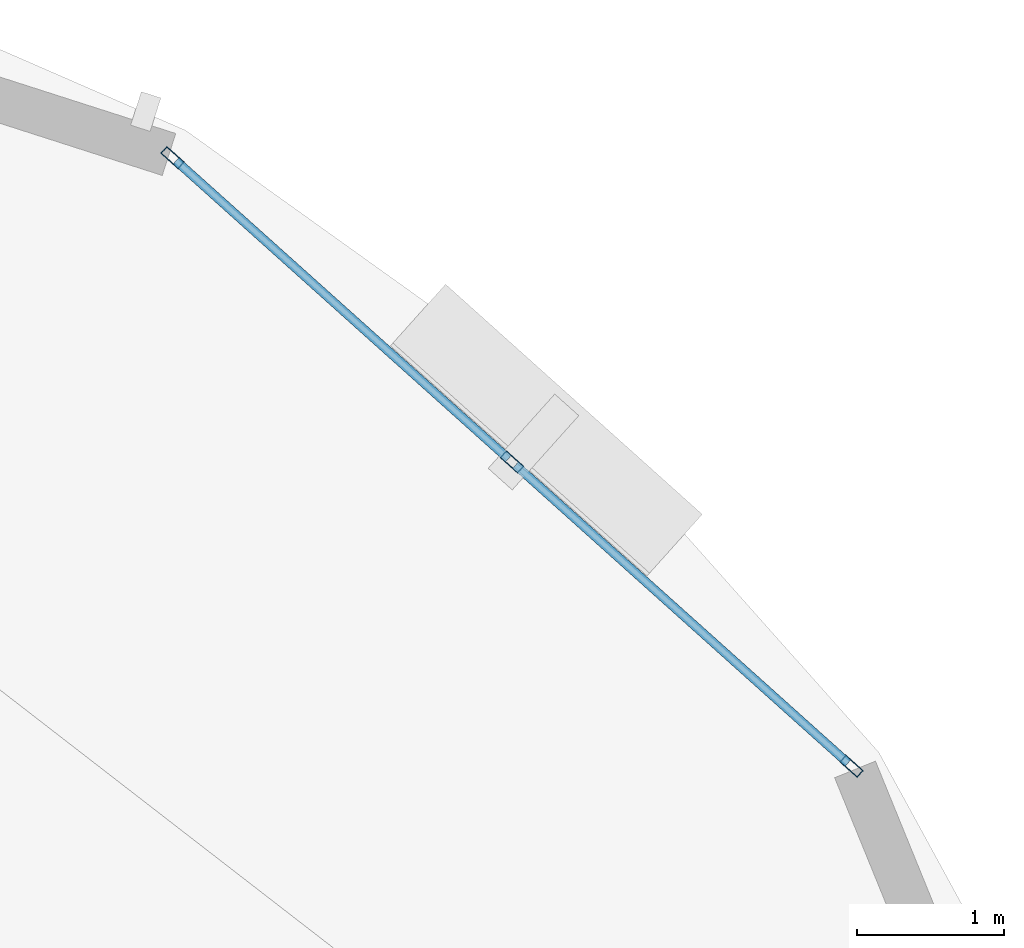
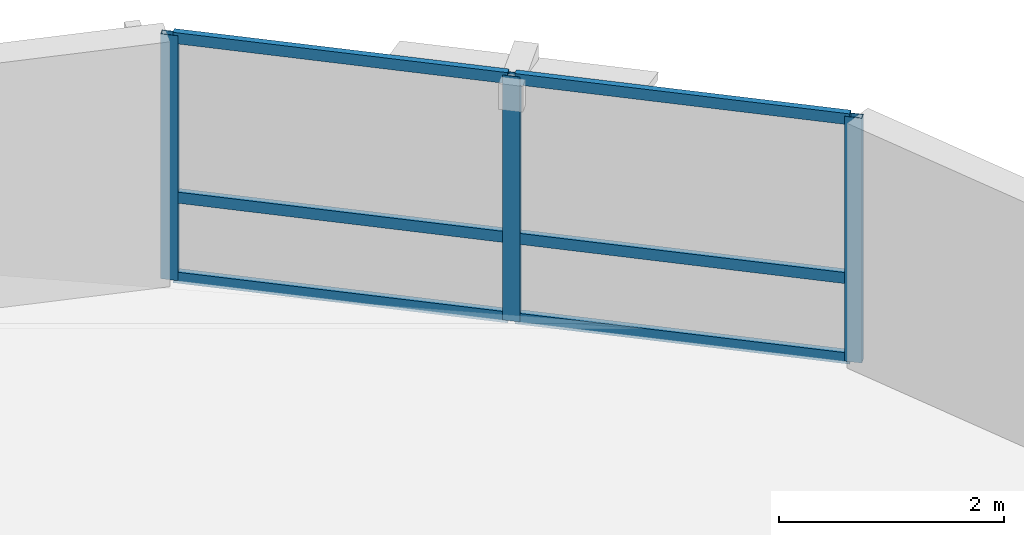
# One storey, part 5 of 11: 9 members, 1 element without a shape of its own.
"""IFC4 building model written with IfcOpenShell, lengths in metres."""

import ifcopenshell
import ifcopenshell.guid

model = None  # the IFC model being written
_history = None  # IfcOwnerHistory: only IFC2X3 demands one
_inside = {}  # id of a spatial element -> (the spatial element, [elements in it])
_under = {}  # id of a project, library or spatial element -> (it, [spatial elements below it])
_declared = {}  # id of a project -> (the project, [libraries it declares])
_typed = {}  # id of a type object -> (the type object, [elements of that type])
_made_of = {}  # id of a material, layer set ... -> (it, [elements and type objects made of it])


def new_model(schema):
    """Start an empty IFC model of exactly this schema.

    Asked for "IFC4X3", IfcOpenShell would pick the latest addendum, in which some entities
    have other attributes; the version numbers below select the first issue.
    IFC2X3 requires an IfcOwnerHistory on every rooted entity: one is made here for all.
    """
    global model, _history
    if schema == "IFC4X3":
        model = ifcopenshell.file(schema_version=(4, 3, 0, 0))
    else:
        model = ifcopenshell.file(schema=schema)
    _inside.clear()
    _under.clear()
    _declared.clear()
    _typed.clear()
    _made_of.clear()
    _history = None
    if model.schema == "IFC2X3":
        org = make("IfcOrganization", Name="unknown")
        user = make(
            "IfcPersonAndOrganization",
            ThePerson=make("IfcPerson", FamilyName="unknown"),
            TheOrganization=org,
        )
        app = make(
            "IfcApplication",
            ApplicationDeveloper=org,
            Version="unknown",
            ApplicationFullName="unknown",
            ApplicationIdentifier="unknown",
        )
        _history = make(
            "IfcOwnerHistory",
            OwningUser=user,
            OwningApplication=app,
            ChangeAction="ADDED",
            CreationDate=0,
        )
    return model


def make(cls, **values):
    """One entity of the class cls with the attributes given. An attribute that is None is left unset."""
    return model.create_entity(
        cls, **{name: value for name, value in values.items() if value is not None}
    )


def rooted(cls, **values):
    """An entity with a GlobalId (a new one), such as an element, a storey or a relation."""
    return make(cls, GlobalId=ifcopenshell.guid.new(), OwnerHistory=_history, **values)


def si_unit(unit_type, name, prefix=None):
    """IfcSIUnit, for example si_unit("LENGTHUNIT", "METRE", prefix="MILLI")."""
    return make("IfcSIUnit", UnitType=unit_type, Prefix=prefix, Name=name)


def assignment(units):
    """IfcUnitAssignment: the units of a project."""
    return None if units is None else make("IfcUnitAssignment", Units=units)


def point(xyz):
    """IfcCartesianPoint."""
    return None if xyz is None else make("IfcCartesianPoint", Coordinates=xyz)


def direction(xyz):
    """IfcDirection."""
    return None if xyz is None else make("IfcDirection", DirectionRatios=xyz)


def frame(location, z_axis=None, x_axis=None):
    """IfcAxis2Placement3D, a coordinate frame: its origin and axes. An axis left out is left unset."""
    return make(
        "IfcAxis2Placement3D",
        Location=point(location),
        Axis=direction(z_axis),
        RefDirection=direction(x_axis),
    )


def frame_2d(location, x_axis=None):
    """IfcAxis2Placement2D, a coordinate frame in the plane: its origin and x axis."""
    return make(
        "IfcAxis2Placement2D", Location=point(location), RefDirection=direction(x_axis)
    )


def origin():
    """The frame at (0, 0, 0) with its axes left unset."""
    return frame((0.0, 0.0, 0.0))


def origin_2d():
    """The frame at (0, 0) in the plane with its x axis left unset."""
    return frame_2d((0.0, 0.0))


def place(relative_to, where):
    """IfcLocalPlacement: puts the frame where relative to a parent placement (None: the world)."""
    return make(
        "IfcLocalPlacement", PlacementRelTo=relative_to, RelativePlacement=where
    )


def context(
    kind, dimensions, precision=None, world=None, true_north=None, identifier=None
):
    """IfcGeometricRepresentationContext, for example the 3D "Model" context."""
    return make(
        "IfcGeometricRepresentationContext",
        ContextIdentifier=identifier,
        ContextType=kind,
        CoordinateSpaceDimension=dimensions,
        Precision=precision,
        WorldCoordinateSystem=world,
        TrueNorth=true_north,
    )


def subcontext(parent, identifier, kind, view, scale=None):
    """IfcGeometricRepresentationSubContext, for example "Body" below "Model"."""
    return make(
        "IfcGeometricRepresentationSubContext",
        ContextIdentifier=identifier,
        ContextType=kind,
        ParentContext=parent,
        TargetScale=scale,
        TargetView=view,
    )


def project(units=None, contexts=None):
    """IfcProject with its units and contexts."""
    return rooted(
        "IfcProject",
        Name="project",
        RepresentationContexts=contexts,
        UnitsInContext=assignment(units),
    )


def spatial(cls, under=None, at=None, **own):
    """A site, building, storey or space (cls), placed at a placement, below another one or the project."""
    s = rooted(cls, ObjectPlacement=at, **own)
    if under is not None:
        _under.setdefault(under.id(), (under, []))[1].append(s)
    return s


def profile(cls, at=None, kind="AREA", **sizes):
    """A parametric profile (cls). Its sizes go by their IFC names, for example OverallWidth=200.0."""
    return make(cls, ProfileType=kind, Position=at, **sizes)


def hollow_rectangle(**sizes):
    """IfcRectangleHollowProfileDef."""
    return profile("IfcRectangleHollowProfileDef", **sizes)


def extrude(swept, where, along, depth):
    """IfcExtrudedAreaSolid: the profile swept, set in the frame where, extruded along a direction by depth."""
    return make(
        "IfcExtrudedAreaSolid",
        SweptArea=swept,
        Position=where,
        ExtrudedDirection=direction(along),
        Depth=depth,
    )


def shape(context_of_items, identifier, shape_type, items):
    """IfcShapeRepresentation: the items that make up one representation, for example the "Body"."""
    return make(
        "IfcShapeRepresentation",
        ContextOfItems=context_of_items,
        RepresentationIdentifier=identifier,
        RepresentationType=shape_type,
        Items=items,
    )


def material(Name=None, Category=None):
    """IfcMaterial."""
    return make("IfcMaterial", Name=Name, Category=Category)


def layer(
    of_material, thickness, ventilated=None, Name=None, Category=None, Priority=None
):
    """IfcMaterialLayer: one layer of a wall or slab, of a material (None: an air gap)."""
    return make(
        "IfcMaterialLayer",
        Material=of_material,
        LayerThickness=thickness,
        IsVentilated=ventilated,
        Name=Name,
        Category=Category,
        Priority=Priority,
    )


def layer_set(layers, Name=None):
    """IfcMaterialLayerSet."""
    return make("IfcMaterialLayerSet", MaterialLayers=layers, LayerSetName=Name)


def material_profile(
    of_material, cross_section, Name=None, Category=None, Priority=None
):
    """IfcMaterialProfile: a cross section and its material."""
    return make(
        "IfcMaterialProfile",
        Name=Name,
        Material=of_material,
        Profile=cross_section,
        Priority=Priority,
        Category=Category,
    )


def profile_set(profiles, Name=None, composite=None):
    """IfcMaterialProfileSet."""
    return make(
        "IfcMaterialProfileSet",
        Name=Name,
        MaterialProfiles=profiles,
        CompositeProfile=composite,
    )


def made_of(thing, what):
    """Note that an element or type object is made of a material, layer set ...; save() writes the relation."""
    if what is not None:
        _made_of.setdefault(what.id(), (what, []))[1].append(thing)
    return thing


def type_object(cls, material=None, **own):
    """A type object (cls), such as IfcWallType, which elements share."""
    return made_of(rooted(cls, **own), material)


def element(
    cls,
    number,
    at=None,
    inside=None,
    cuts=None,
    type_object=None,
    material=None,
    context=None,
    identifier="Body",
    shape_type=None,
    held_by="IfcProductDefinitionShape",
    body=None,
    shapes=None,
    **own,
):
    """One element of the class cls, such as IfcWall. Its Tag is "e" and its number.

    at: its placement. inside: the storey or other place that contains it. cuts: it is an
    opening in that element (IfcRelVoidsElement). A single representation is given by context,
    identifier, shape_type and body (its items); several are given by shapes. held_by: the class
    of the entity that holds the representations. save() writes the other relations.
    """
    e = rooted(cls, Tag="e%d" % number, ObjectPlacement=at, **own)
    if body is not None:
        shapes = [shape(context, identifier, shape_type, body)]
    if shapes is not None:
        e.Representation = make(held_by, Representations=shapes)
    if inside is not None:
        _inside.setdefault(inside.id(), (inside, []))[1].append(e)
    if cuts is not None:
        rooted(
            "IfcRelVoidsElement", RelatingBuildingElement=cuts, RelatedOpeningElement=e
        )
    if type_object is not None:
        _typed.setdefault(type_object.id(), (type_object, []))[1].append(e)
    return made_of(e, material)


def aggregate(whole, parts):
    """IfcRelAggregates: a whole, such as a stair, and the parts it consists of."""
    return rooted("IfcRelAggregates", RelatingObject=whole, RelatedObjects=parts)


def save(model, path):
    """Write the relations noted so far, then the file.

    IfcRelAggregates (storeys below a building ...), IfcRelContainedInSpatialStructure (elements
    in a storey), IfcRelDefinesByType, IfcRelAssociatesMaterial and IfcRelDeclares: one each for
    every whole, place, type object, material and project.
    """
    for whole, parts in _under.values():
        aggregate(whole, parts)
    for where, things in _inside.values():
        rooted(
            "IfcRelContainedInSpatialStructure",
            RelatedElements=things,
            RelatingStructure=where,
        )
    for kind, things in _typed.values():
        rooted("IfcRelDefinesByType", RelatedObjects=things, RelatingType=kind)
    for what, things in _made_of.values():
        rooted("IfcRelAssociatesMaterial", RelatedObjects=things, RelatingMaterial=what)
    for by, libraries in _declared.values():
        rooted("IfcRelDeclares", RelatingContext=by, RelatedDefinitions=libraries)
    model.write(path)


model = new_model("IFC4")

# Units and contexts
model_context = context("Model", 3, precision=1e-05, world=origin(), true_north=direction((0.0, 1.0)))
body_context = subcontext(model_context, "Body", "Model", "MODEL_VIEW")
ifc_project = project(units=[si_unit("LENGTHUNIT", "METRE"), si_unit("AREAUNIT", "SQUARE_METRE"), si_unit("VOLUMEUNIT", "CUBIC_METRE"), si_unit("PLANEANGLEUNIT", "RADIAN"), si_unit("MASSUNIT", "GRAM", prefix="KILO"), si_unit("THERMODYNAMICTEMPERATUREUNIT", "KELVIN"), si_unit("POWERUNIT", "WATT")], contexts=[model_context])

# Site, building, storey
site_placement = place(None, origin())
site = spatial("IfcSite", under=ifc_project, at=site_placement, CompositionType="ELEMENT")
building_placement = place(site_placement, origin())
building = spatial("IfcBuilding", under=site, at=building_placement, Name="Ocrelia Relay Tower", CompositionType="ELEMENT")
storey_placement = place(building_placement, frame((0.0, 0.0, 180.800048828125)))
storey = spatial("IfcBuildingStorey", under=building, at=storey_placement, Name="L43", CompositionType="ELEMENT", Elevation=180.800048828125)

# Curtain wall, members
ifc_material_1 = material(Name="Aluminium and solar-control low-E glass", Category="aluminium")
ifc_layer = layer(ifc_material_1, 0.179931640625, Name="Aluminium and solar-control low-E glass")
ifc_layer_set = layer_set([ifc_layer], Name="Aluminium and solar-control low-E glass")
curtain_wall_type = type_object("IfcCurtainWallType", Name="CW-SYS-Z3-CLOU", PredefinedType="NOTDEFINED", material=ifc_layer_set)
curtain_wall_placement = place(storey_placement, origin())
curtain_wall = element("IfcCurtainWall", 1, at=curtain_wall_placement, inside=storey, type_object=curtain_wall_type, Name="L43 Elliptical Tower Curtain Wall Bay 01", PredefinedType="NOTDEFINED")
ifc_material_2 = material(Name="Anodised bronze aluminium", Category="aluminium")
ifc_material_profile_1 = material_profile(ifc_material_2, hollow_rectangle(XDim=0.06494140625, YDim=0.159912109375, WallThickness=0.0048828125, at=origin_2d()), Name="CW-MUL-160x65")
ifc_profile_set_1 = profile_set([ifc_material_profile_1], Name="Anodised bronze aluminium")
member_type_1 = type_object("IfcMemberType", Name="CW-SYS-Z3-CLOU-MUL", PredefinedType="MULLION", material=ifc_profile_set_1)
member_1_placement = place(storey_placement, frame((53.10888671875, 39.493408203125, 0.0), z_axis=(0.0, 0.0, 1.0), x_axis=(-0.66743759951, -0.744665730889, 0.0)))
member_1 = element("IfcMember", 2, at=member_1_placement, type_object=member_type_1, Name="CW-Z3 mullion 1", PredefinedType="MULLION", context=body_context, shape_type="SweptSolid", body=[
    extrude(hollow_rectangle(XDim=0.06494140625, YDim=0.159912109375, WallThickness=0.0048828125, at=origin_2d()), origin(), (0.0, 0.0, 1.0), 2.659912109375),
])
member_2_placement = place(storey_placement, frame((50.793701171875, 41.568359375, 0.0), z_axis=(0.0, 0.0, 1.0), x_axis=(-0.66743759951, -0.744665730889, 0.0)))
member_2 = element("IfcMember", 3, at=member_2_placement, type_object=member_type_1, Name="CW-Z3 mullion 2", PredefinedType="MULLION", context=body_context, shape_type="SweptSolid", body=[
    extrude(hollow_rectangle(XDim=0.06494140625, YDim=0.159912109375, WallThickness=0.0048828125, at=origin_2d()), origin(), (0.0, 0.0, 1.0), 2.659912109375),
])
member_3_placement = place(storey_placement, frame((48.478759765625, 43.643310546875, 0.0), z_axis=(0.0, 0.0, 1.0), x_axis=(-0.66743759951, -0.744665730889, 0.0)))
member_3 = element("IfcMember", 4, at=member_3_placement, type_object=member_type_1, Name="CW-Z3 mullion 3", PredefinedType="MULLION", context=body_context, shape_type="SweptSolid", body=[
    extrude(hollow_rectangle(XDim=0.06494140625, YDim=0.159912109375, WallThickness=0.0048828125, at=origin_2d()), origin(), (0.0, 0.0, 1.0), 2.659912109375),
])
ifc_material_profile_2 = material_profile(ifc_material_2, hollow_rectangle(XDim=0.06005859375, YDim=0.1201171875, WallThickness=0.0048828125, at=origin_2d()), Name="CW-TRN-120x60")
ifc_profile_set_2 = profile_set([ifc_material_profile_2], Name="Anodised bronze aluminium")
member_type_2 = type_object("IfcMemberType", Name="CW-SYS-Z3-CLOU-TRN", PredefinedType="USERDEFINED", material=ifc_profile_set_2)
member_4_placement = place(storey_placement, frame((53.084716796875, 39.51513671875, 0.030029296875), z_axis=(-0.744668401942, 0.667434619382, 0.0), x_axis=(-0.667434619382, -0.744668401942, 0.0)))
member_4 = element("IfcMember", 5, at=member_4_placement, type_object=member_type_2, Name="CW-Z3 transom 1.1", ObjectType="TRANSOM", PredefinedType="USERDEFINED", context=body_context, shape_type="SweptSolid", body=[
    extrude(hollow_rectangle(XDim=0.06005859375, YDim=0.1201171875, WallThickness=0.0048828125, at=origin_2d()), origin(), (0.0, 0.0, 1.0), 3.044189453125),
])
member_5_placement = place(storey_placement, frame((53.084716796875, 39.51513671875, 0.89990234375), z_axis=(-0.744668401942, 0.667434619382, 0.0), x_axis=(-0.667434619382, -0.744668401942, 0.0)))
member_5 = element("IfcMember", 6, at=member_5_placement, type_object=member_type_2, Name="CW-Z3 transom 1.2", ObjectType="TRANSOM", PredefinedType="USERDEFINED", context=body_context, shape_type="SweptSolid", body=[
    extrude(hollow_rectangle(XDim=0.06005859375, YDim=0.1201171875, WallThickness=0.0048828125, at=origin_2d()), origin(), (0.0, 0.0, 1.0), 3.044189453125),
])
member_6_placement = place(storey_placement, frame((53.084716796875, 39.51513671875, 2.6298828125), z_axis=(-0.744668401942, 0.667434619382, 0.0), x_axis=(-0.667434619382, -0.744668401942, 0.0)))
member_6 = element("IfcMember", 7, at=member_6_placement, type_object=member_type_2, Name="CW-Z3 transom 1.3", ObjectType="TRANSOM", PredefinedType="USERDEFINED", context=body_context, shape_type="SweptSolid", body=[
    extrude(hollow_rectangle(XDim=0.06005859375, YDim=0.1201171875, WallThickness=0.0048828125, at=origin_2d()), origin(), (0.0, 0.0, 1.0), 3.044189453125),
])
member_7_placement = place(storey_placement, frame((50.76953125, 41.590087890625, 0.030029296875), z_axis=(-0.744632671583, 0.667474482218, 0.0), x_axis=(-0.667474482218, -0.744632671583, 0.0)))
member_7 = element("IfcMember", 8, at=member_7_placement, type_object=member_type_2, Name="CW-Z3 transom 2.1", ObjectType="TRANSOM", PredefinedType="USERDEFINED", context=body_context, shape_type="SweptSolid", body=[
    extrude(hollow_rectangle(XDim=0.06005859375, YDim=0.1201171875, WallThickness=0.0048828125, at=origin_2d()), origin(), (0.0, 0.0, 1.0), 3.0439453125),
])
member_8_placement = place(storey_placement, frame((50.76953125, 41.590087890625, 0.89990234375), z_axis=(-0.744632671583, 0.667474482218, 0.0), x_axis=(-0.667474482218, -0.744632671583, 0.0)))
member_8 = element("IfcMember", 9, at=member_8_placement, type_object=member_type_2, Name="CW-Z3 transom 2.2", ObjectType="TRANSOM", PredefinedType="USERDEFINED", context=body_context, shape_type="SweptSolid", body=[
    extrude(hollow_rectangle(XDim=0.06005859375, YDim=0.1201171875, WallThickness=0.0048828125, at=origin_2d()), origin(), (0.0, 0.0, 1.0), 3.0439453125),
])
member_9_placement = place(storey_placement, frame((50.76953125, 41.590087890625, 2.6298828125), z_axis=(-0.744632671583, 0.667474482218, 0.0), x_axis=(-0.667474482218, -0.744632671583, 0.0)))
member_9 = element("IfcMember", 10, at=member_9_placement, type_object=member_type_2, Name="CW-Z3 transom 2.3", ObjectType="TRANSOM", PredefinedType="USERDEFINED", context=body_context, shape_type="SweptSolid", body=[
    extrude(hollow_rectangle(XDim=0.06005859375, YDim=0.1201171875, WallThickness=0.0048828125, at=origin_2d()), origin(), (0.0, 0.0, 1.0), 3.0439453125),
])
aggregate(curtain_wall, [member_1, member_2, member_3, member_4, member_5, member_6, member_7, member_8, member_9])

save(model, "model.ifc")
